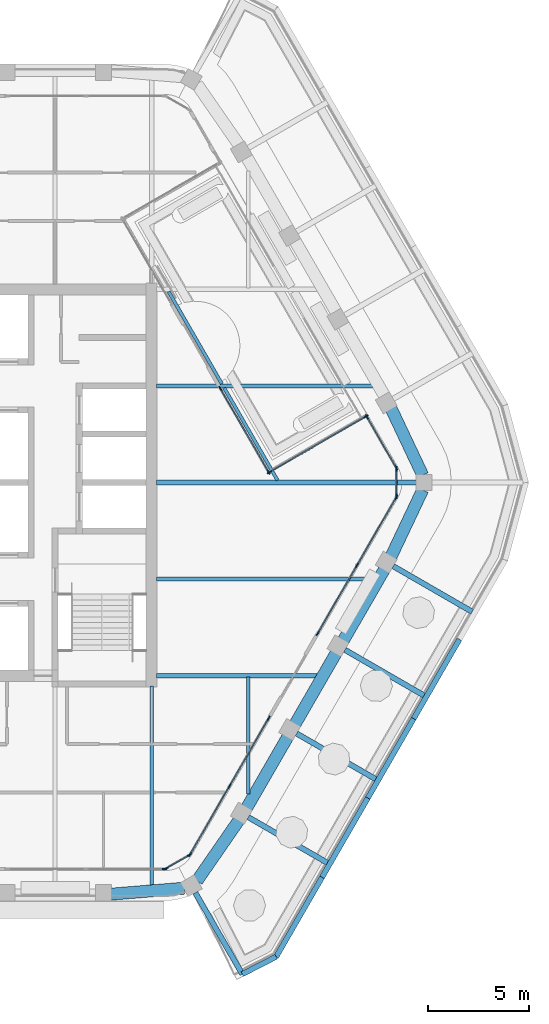
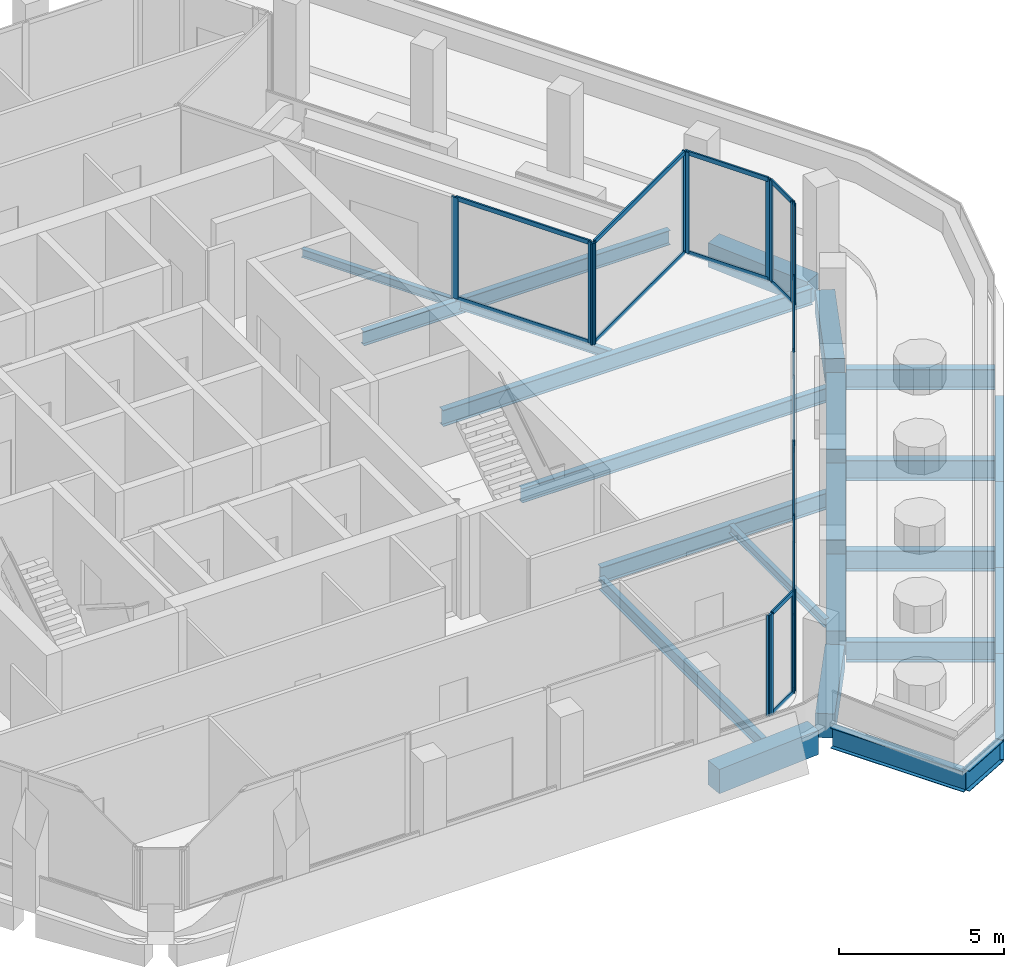
# One storey, part 4 of 17: 35 members, 25 beams, 8 elements without a shape of their own.
"""IFC4 building model written with IfcOpenShell, lengths in metres."""

from ifc_helpers import new_model, si_unit, direction, frame, origin, origin_2d, place, context, subcontext, project, spatial, rectangle, i_section, extrude, material, material_profile, profile_set, type_object, element, aggregate, save


model = new_model("IFC4")

# Units and contexts
model_context = context("Model", 3, precision=1e-05, world=origin(), true_north=direction((0.0, 1.0)))
body_context = subcontext(model_context, "Body", "Model", "MODEL_VIEW")
ifc_project = project(units=[si_unit("LENGTHUNIT", "METRE"), si_unit("AREAUNIT", "SQUARE_METRE"), si_unit("VOLUMEUNIT", "CUBIC_METRE"), si_unit("PLANEANGLEUNIT", "RADIAN"), si_unit("MASSUNIT", "GRAM", prefix="KILO")], contexts=[model_context])

# Site, building, storey
site_placement = place(None, origin())
site = spatial("IfcSite", under=ifc_project, at=site_placement, CompositionType="ELEMENT")
building_placement = place(site_placement, origin())
building = spatial("IfcBuilding", under=site, at=building_placement, Name="Kolab Exchange Tower", CompositionType="ELEMENT")
storey_placement = place(building_placement, frame((0.0, 0.0, 285.199951171875)))
storey = spatial("IfcBuildingStorey", under=building, at=storey_placement, Name="L64", CompositionType="ELEMENT", Elevation=285.199951171875)

# Beams
ifc_material_1 = material(Name="Steel S355", Category="steel")
ifc_material_profile_1 = material_profile(ifc_material_1, i_section(OverallWidth=0.1650390625, OverallDepth=0.31005859375, WebThickness=0.005859375, FlangeThickness=0.009765625, at=origin_2d()), Name="W310X39")
ifc_profile_set_1 = profile_set([ifc_material_profile_1], Name="Steel S355")
beam_type_1 = type_object("IfcBeamType", Name="FLOOR BEAM W310X39", PredefinedType="BEAM", material=ifc_profile_set_1)
for number, where, z_axis, x_axis, name in (
    (1, (10.439208984375, 9.486083984375, -0.304931640625), (0.499980785011, -0.866036497279, 0.0), (0.866036497279, 0.499980785011, 0.0), "beam/L64/fr/019"),
    (2, (13.205078125, 4.695556640625, -0.304931640625), (0.499980785011, -0.866036497279, 0.0), (0.866036497279, 0.499980785011, 0.0), "beam/L64/fr/020"),
):
    element("IfcBeam", number, at=place(storey_placement, frame(where, z_axis=z_axis, x_axis=x_axis)), inside=storey, type_object=beam_type_1, Name=name, PredefinedType="BEAM", context=body_context, shape_type="SweptSolid", body=[
        extrude(i_section(OverallWidth=0.1650390625, OverallDepth=0.31005859375, WebThickness=0.005859375, FlangeThickness=0.009765625, at=origin_2d()), origin(), (0.0, 0.0, 1.0), 5.290283203125),
    ])
beam_1_placement = place(storey_placement, frame((14.39990234375, -15.4677734375, -0.304931640625), z_axis=(0.0, 1.0, 0.0), x_axis=(-1.0, 0.0, 0.0)))
element("IfcBeam", 3, at=beam_1_placement, inside=storey, type_object=beam_type_1, Name="beam/L64/fr/021", PredefinedType="BEAM", context=body_context, shape_type="SweptSolid", body=[
    extrude(i_section(OverallWidth=0.1650390625, OverallDepth=0.31005859375, WebThickness=0.005859375, FlangeThickness=0.009765625, at=origin_2d()), origin(), (0.0, 0.0, 1.0), 5.793701171875),
])
ifc_material_profile_2 = material_profile(ifc_material_1, i_section(OverallWidth=0.18994140625, OverallDepth=0.45703125, WebThickness=0.009033203125, FlangeThickness=0.014404296875, at=origin_2d()), Name="W460X74")
ifc_profile_set_2 = profile_set([ifc_material_profile_2], Name="Steel S355")
beam_type_2 = type_object("IfcBeamType", Name="FLOOR BEAM W460X74", PredefinedType="BEAM", material=ifc_profile_set_2)
beam_2_placement = place(storey_placement, frame((9.60009765625, -20.027099609375, -0.37841796875), z_axis=(0.0, 1.0, 0.0), x_axis=(-1.0, 0.0, 0.0)))
element("IfcBeam", 4, at=beam_2_placement, inside=storey, type_object=beam_type_2, Name="beam/L64/fr/013", PredefinedType="BEAM", context=body_context, shape_type="SweptSolid", body=[
    extrude(i_section(OverallWidth=0.18994140625, OverallDepth=0.45703125, WebThickness=0.009033203125, FlangeThickness=0.014404296875, at=origin_2d()), origin(), (0.0, 0.0, 1.0), 9.9169921875),
])
ifc_material_profile_3 = material_profile(ifc_material_1, i_section(OverallWidth=0.208984375, OverallDepth=0.532958984375, WebThickness=0.01025390625, FlangeThickness=0.015625, at=origin_2d()), Name="W530X92")
ifc_profile_set_3 = profile_set([ifc_material_profile_3], Name="Steel S355")
beam_type_3 = type_object("IfcBeamType", Name="FLOOR BEAM W530X92", PredefinedType="BEAM", material=ifc_profile_set_3)
for number, where, z_axis, x_axis, name in (
    (5, (9.8349609375, -4.800048828125, -0.41650390625), (1.0, 0.0, 0.0), (0.0, 1.0, 0.0), "beam/L64/fr/016"),
    (6, (9.8349609375, 4.800048828125, -0.41650390625), (1.0, 0.0, 0.0), (0.0, 1.0, 0.0), "beam/L64/fr/018"),
):
    element("IfcBeam", number, at=place(storey_placement, frame(where, z_axis=z_axis, x_axis=x_axis)), inside=storey, type_object=beam_type_3, Name=name, PredefinedType="BEAM", context=body_context, shape_type="SweptSolid", body=[
        extrude(i_section(OverallWidth=0.208984375, OverallDepth=0.532958984375, WebThickness=0.01025390625, FlangeThickness=0.015625, at=origin_2d()), origin(), (0.0, 0.0, 1.0), 10.740966796875),
    ])
ifc_material_profile_4 = material_profile(ifc_material_1, i_section(OverallWidth=0.22802734375, OverallDepth=0.60791015625, WebThickness=0.01123046875, FlangeThickness=0.017333984375, at=origin_2d()), Name="W610X113")
ifc_profile_set_4 = profile_set([ifc_material_profile_4], Name="Steel S355")
beam_type_4 = type_object("IfcBeamType", Name="FLOOR BEAM W610X113", PredefinedType="BEAM", material=ifc_profile_set_4)
beam_3_placement = place(storey_placement, frame((9.8349609375, 0.0, -0.453857421875), z_axis=(1.0, 0.0, 0.0), x_axis=(0.0, 1.0, 0.0)))
element("IfcBeam", 7, at=beam_3_placement, inside=storey, type_object=beam_type_4, Name="beam/L64/fr/017", PredefinedType="BEAM", context=body_context, shape_type="SweptSolid", body=[
    extrude(i_section(OverallWidth=0.22802734375, OverallDepth=0.60791015625, WebThickness=0.01123046875, FlangeThickness=0.017333984375, at=origin_2d()), origin(), (0.0, 0.0, 1.0), 12.94091796875),
])
ifc_material_profile_5 = material_profile(ifc_material_1, i_section(OverallWidth=0.22802734375, OverallDepth=0.60791015625, WebThickness=0.01123046875, FlangeThickness=0.017333984375, at=origin_2d()), Name="W610X113")
ifc_profile_set_5 = profile_set([ifc_material_profile_5], Name="Steel S355")
beam_type_5 = type_object("IfcBeamType", Name="FLOOR GIRDER W610X113", PredefinedType="BEAM", material=ifc_profile_set_5)
beam_4_placement = place(storey_placement, frame((9.8349609375, -9.60009765625, -0.453857421875), z_axis=(1.0, 0.0, 0.0), x_axis=(0.0, 1.0, 0.0)))
element("IfcBeam", 8, at=beam_4_placement, inside=storey, type_object=beam_type_5, Name="beam/L64/gd/002", PredefinedType="BEAM", context=body_context, shape_type="SweptSolid", body=[
    extrude(i_section(OverallWidth=0.22802734375, OverallDepth=0.60791015625, WebThickness=0.01123046875, FlangeThickness=0.017333984375, at=origin_2d()), origin(), (0.0, 0.0, 1.0), 7.9697265625),
])
ifc_material_profile_6 = material_profile(ifc_material_1, i_section(OverallWidth=0.26708984375, OverallDepth=0.761962890625, WebThickness=0.014404296875, FlangeThickness=0.021484375, at=origin_2d()), Name="W760X173")
ifc_profile_set_6 = profile_set([ifc_material_profile_6], Name="Steel S355")
beam_type_6 = type_object("IfcBeamType", Name="FLOOR GIRDER W760X173", PredefinedType="BEAM", material=ifc_profile_set_6)
beam_5_placement = place(storey_placement, frame((21.60009765625, -4.156982421875, -0.591064453125), z_axis=(0.866030417568, -0.499991315771, 0.0), x_axis=(0.499991315771, 0.866030417568, 0.0)))
element("IfcBeam", 9, at=beam_5_placement, inside=storey, type_object=beam_type_6, Name="beam/L64/ledge/rib-06", PredefinedType="BEAM", context=body_context, shape_type="SweptSolid", body=[
    extrude(i_section(OverallWidth=0.26708984375, OverallDepth=0.761962890625, WebThickness=0.014404296875, FlangeThickness=0.021484375, at=origin_2d()), origin(), (0.0, 0.0, 1.0), 4.53271484375),
])
beam_6_placement = place(storey_placement, frame((19.199951171875, -8.313720703125, -0.591064453125), z_axis=(0.866020560687, -0.500008388397, 0.0), x_axis=(0.500008388397, 0.866020560687, 0.0)))
element("IfcBeam", 10, at=beam_6_placement, inside=storey, type_object=beam_type_6, Name="beam/L64/ledge/rib-07", PredefinedType="BEAM", context=body_context, shape_type="SweptSolid", body=[
    extrude(i_section(OverallWidth=0.26708984375, OverallDepth=0.761962890625, WebThickness=0.014404296875, FlangeThickness=0.021484375, at=origin_2d()), origin(), (0.0, 0.0, 1.0), 4.533203125),
])
beam_7_placement = place(storey_placement, frame((16.800048828125, -12.470703125, -0.591064453125), z_axis=(0.866007095043, -0.500031710329, 0.0), x_axis=(0.500031710329, 0.866007095043, 0.0)))
element("IfcBeam", 11, at=beam_7_placement, inside=storey, type_object=beam_type_6, Name="beam/L64/ledge/rib-08", PredefinedType="BEAM", context=body_context, shape_type="SweptSolid", body=[
    extrude(i_section(OverallWidth=0.26708984375, OverallDepth=0.761962890625, WebThickness=0.014404296875, FlangeThickness=0.021484375, at=origin_2d()), origin(), (0.0, 0.0, 1.0), 4.532958984375),
])
beam_8_placement = place(storey_placement, frame((14.39990234375, -16.627685546875, -0.591064453125), z_axis=(0.866020560687, -0.500008388397, 0.0), x_axis=(0.500008388397, 0.866020560687, 0.0)))
element("IfcBeam", 12, at=beam_8_placement, inside=storey, type_object=beam_type_6, Name="beam/L64/ledge/rib-09", PredefinedType="BEAM", context=body_context, shape_type="SweptSolid", body=[
    extrude(i_section(OverallWidth=0.26708984375, OverallDepth=0.761962890625, WebThickness=0.014404296875, FlangeThickness=0.021484375, at=origin_2d()), origin(), (0.0, 0.0, 1.0), 4.533203125),
])
beam_9_placement = place(storey_placement, frame((11.767822265625, -20.3828125, -0.591064453125), z_axis=(0.500043984474, -0.866000007847, 0.0), x_axis=(0.866000007847, 0.500043984474, 0.0)))
element("IfcBeam", 13, at=beam_9_placement, inside=storey, type_object=beam_type_6, Name="beam/L64/ledge/rib-10", PredefinedType="BEAM", context=body_context, shape_type="SweptSolid", body=[
    extrude(i_section(OverallWidth=0.26708984375, OverallDepth=0.761962890625, WebThickness=0.014404296875, FlangeThickness=0.021484375, at=origin_2d()), origin(), (0.0, 0.0, 1.0), 4.66650390625),
])
for number, where, z_axis, x_axis, name in (
    (14, (24.890380859375, -7.791015625, -0.591064453125), (-0.500038123928, -0.866003391805, 0.0), (0.866003391805, -0.500038123928, 0.0), "beam/L64/ledge/edge-09"),
    (15, (22.614013671875, -11.7333984375, -0.591064453125), (-0.499974680739, -0.866040021373, 0.0), (0.866040021373, -0.499974680739, 0.0), "beam/L64/ledge/edge-10"),
):
    element("IfcBeam", number, at=place(storey_placement, frame(where, z_axis=z_axis, x_axis=x_axis)), inside=storey, type_object=beam_type_6, Name=name, PredefinedType="BEAM", context=body_context, shape_type="SweptSolid", body=[
        extrude(i_section(OverallWidth=0.26708984375, OverallDepth=0.761962890625, WebThickness=0.014404296875, FlangeThickness=0.021484375, at=origin_2d()), origin(), (0.0, 0.0, 1.0), 4.552490234375),
    ])
beam_10_placement = place(storey_placement, frame((20.337890625, -15.676025390625, -0.591064453125), z_axis=(-0.499997902498, -0.866026614774, 0.0), x_axis=(0.866026614774, -0.499997902498, 0.0)))
element("IfcBeam", 16, at=beam_10_placement, inside=storey, type_object=beam_type_6, Name="beam/L64/ledge/edge-11", PredefinedType="BEAM", context=body_context, shape_type="SweptSolid", body=[
    extrude(i_section(OverallWidth=0.26708984375, OverallDepth=0.761962890625, WebThickness=0.014404296875, FlangeThickness=0.021484375, at=origin_2d()), origin(), (0.0, 0.0, 1.0), 4.55224609375),
])
beam_11_placement = place(storey_placement, frame((18.061767578125, -19.618408203125, -0.591064453125), z_axis=(-0.500014901547, -0.866016800201, 0.0), x_axis=(0.866016800201, -0.500014901547, 0.0)))
element("IfcBeam", 17, at=beam_11_placement, inside=storey, type_object=beam_type_6, Name="beam/L64/ledge/edge-12", PredefinedType="BEAM", context=body_context, shape_type="SweptSolid", body=[
    extrude(i_section(OverallWidth=0.26708984375, OverallDepth=0.761962890625, WebThickness=0.014404296875, FlangeThickness=0.021484375, at=origin_2d()), origin(), (0.0, 0.0, 1.0), 4.552490234375),
])
beam_12_placement = place(storey_placement, frame((15.785400390625, -23.56103515625, -0.591064453125), z_axis=(-0.889892665835, -0.456169971933, 0.0), x_axis=(0.456169971933, -0.889892665835, 0.0)))
element("IfcBeam", 18, at=beam_12_placement, inside=storey, type_object=beam_type_6, Name="beam/L64/ledge/edge-13", PredefinedType="BEAM", context=body_context, shape_type="SweptSolid", body=[
    extrude(i_section(OverallWidth=0.26708984375, OverallDepth=0.761962890625, WebThickness=0.014404296875, FlangeThickness=0.021484375, at=origin_2d()), origin(), (0.0, 0.0, 1.0), 1.892333984375),
])
ifc_material_2 = material(Name="Concrete C50/60", Category="concrete")
ifc_material_profile_7 = material_profile(ifc_material_2, rectangle(XDim=0.60009765625, YDim=0.89990234375, at=origin_2d()), Name="RC600X900")
ifc_profile_set_7 = profile_set([ifc_material_profile_7], Name="Concrete C50/60")
beam_type_7 = type_object("IfcBeamType", Name="SPANDREL BEAM 600X900 C50/60", PredefinedType="BEAM", material=ifc_profile_set_7)
for number, where, z_axis, x_axis, name in (
    (19, (21.49462890625, 3.68017578125, -0.599853515625), (0.427677251998, -0.903931506323, 0.0), (0.903931506323, 0.427677251998, 0.0), "beam/L64/sp/F2-05"),
    (20, (23.063720703125, -0.36376953125, -0.599853515625), (-0.427677251998, -0.903931506323, 0.0), (0.903931506323, -0.427677251998, 0.0), "beam/L64/sp/F3-01"),
):
    element("IfcBeam", number, at=place(storey_placement, frame(where, z_axis=z_axis, x_axis=x_axis)), inside=storey, type_object=beam_type_7, Name=name, PredefinedType="BEAM", context=body_context, shape_type="SweptSolid", body=[
        extrude(rectangle(XDim=0.60009765625, YDim=0.89990234375, at=origin_2d()), origin(), (0.0, 0.0, 1.0), 3.6689453125),
    ])
for number, where, z_axis, x_axis, name in (
    (21, (21.16015625, -4.318603515625, -0.599853515625), (-0.500000428765, -0.866025156237, 0.0), (0.866025156237, -0.500000428765, 0.0), "beam/L64/sp/F3-02"),
    (22, (18.76025390625, -8.4755859375, -0.599853515625), (-0.500000428765, -0.866025156237, 0.0), (0.866025156237, -0.500000428765, 0.0), "beam/L64/sp/F3-03"),
):
    element("IfcBeam", number, at=place(storey_placement, frame(where, z_axis=z_axis, x_axis=x_axis)), inside=storey, type_object=beam_type_7, Name=name, PredefinedType="BEAM", context=body_context, shape_type="SweptSolid", body=[
        extrude(rectangle(XDim=0.60009765625, YDim=0.89990234375, at=origin_2d()), origin(), (0.0, 0.0, 1.0), 4.080078125),
    ])
beam_13_placement = place(storey_placement, frame((16.360107421875, -12.632568359375, -0.599853515625), z_axis=(-0.499955548806, -0.866051066172, 0.0), x_axis=(0.866051066172, -0.499955548806, 0.0)))
element("IfcBeam", 23, at=beam_13_placement, inside=storey, type_object=beam_type_7, Name="beam/L64/sp/F3-04", PredefinedType="BEAM", context=body_context, shape_type="SweptSolid", body=[
    extrude(rectangle(XDim=0.60009765625, YDim=0.89990234375, at=origin_2d()), origin(), (0.0, 0.0, 1.0), 4.079833984375),
])
for number, where, z_axis, x_axis, name in (
    (24, (13.9345703125, -16.77490234375, -0.599853515625), (-0.569005808573, -0.822333502789, 0.0), (0.822333502789, -0.569005808573, 0.0), "beam/L64/sp/F3-05"),
    (25, (11.216796875, -20.15576171875, -0.599853515625), (-0.996666751878, -0.081580547323, 0.0), (0.081580547323, -0.996666751878, 0.0), "beam/L64/sp/F4-01"),
):
    element("IfcBeam", number, at=place(storey_placement, frame(where, z_axis=z_axis, x_axis=x_axis)), inside=storey, type_object=beam_type_7, Name=name, PredefinedType="BEAM", context=body_context, shape_type="SweptSolid", body=[
        extrude(rectangle(XDim=0.60009765625, YDim=0.89990234375, at=origin_2d()), origin(), (0.0, 0.0, 1.0), 3.6689453125),
    ])

# Curtain wall, members
ifc_material_3 = material(Name="Aluminium EN AW-6063 T6", Category="aluminium")
curtain_wall_type = type_object("IfcCurtainWallType", Name="UNITISED HIGH ZONE CURTAIN WALL", PredefinedType="NOTDEFINED", material=ifc_material_3)
curtain_wall_1_placement = place(storey_placement, origin())
curtain_wall_1 = element("IfcCurtainWall", 26, at=curtain_wall_1_placement, inside=storey, type_object=curtain_wall_type, Name="cw/L64/F2-back-2", PredefinedType="NOTDEFINED")
ifc_material_profile_8 = material_profile(ifc_material_3, rectangle(XDim=0.06005859375, YDim=0.239990234375, at=origin_2d()), Name="RECT 60X240")
ifc_profile_set_8 = profile_set([ifc_material_profile_8], Name="Aluminium EN AW-6063 T6")
member_type_1 = type_object("IfcMemberType", Name="UNITISED HIGH ZONE MULLION 60 X 240", PredefinedType="MULLION", material=ifc_profile_set_8)
member_1_placement = place(storey_placement, frame((13.01025390625, 4.6748046875, 0.0), z_axis=(0.0, 0.0, 1.0), x_axis=(0.866025376121, 0.500000047915, 0.0)))
member_1 = element("IfcMember", 27, at=member_1_placement, type_object=member_type_1, Name="CW4 mullion 1", PredefinedType="MULLION", context=body_context, shape_type="SweptSolid", body=[
    extrude(rectangle(XDim=0.06005859375, YDim=0.239990234375, at=origin_2d()), origin(), (0.0, 0.0, 1.0), 3.75),
])
member_2_placement = place(storey_placement, frame((15.406982421875, 0.523681640625, 0.0), z_axis=(0.0, 0.0, 1.0), x_axis=(0.866025376121, 0.500000047915, 0.0)))
member_2 = element("IfcMember", 28, at=member_2_placement, type_object=member_type_1, Name="CW4 mullion 2", PredefinedType="MULLION", context=body_context, shape_type="SweptSolid", body=[
    extrude(rectangle(XDim=0.06005859375, YDim=0.239990234375, at=origin_2d()), origin(), (0.0, 0.0, 1.0), 3.75),
])

curtain_wall_2_placement = place(storey_placement, origin())
curtain_wall_2 = element("IfcCurtainWall", 29, at=curtain_wall_2_placement, inside=storey, type_object=curtain_wall_type, Name="cw/L64/F2-rr-1", PredefinedType="NOTDEFINED")
member_3_placement = place(storey_placement, frame((15.447998046875, 0.5126953125, 0.0), z_axis=(0.0, 0.0, 1.0), x_axis=(-0.500000020194, 0.866025392126, 0.0)))
member_3 = element("IfcMember", 30, at=member_3_placement, type_object=member_type_1, Name="CW4 mullion 1", PredefinedType="MULLION", context=body_context, shape_type="SweptSolid", body=[
    extrude(rectangle(XDim=0.06005859375, YDim=0.239990234375, at=origin_2d()), origin(), (0.0, 0.0, 1.0), 3.75),
])
member_4_placement = place(storey_placement, frame((20.24560546875, 3.28271484375, 0.0), z_axis=(0.0, 0.0, 1.0), x_axis=(-0.500000020194, 0.866025392126, 0.0)))
member_4 = element("IfcMember", 31, at=member_4_placement, type_object=member_type_1, Name="CW4 mullion 2", PredefinedType="MULLION", context=body_context, shape_type="SweptSolid", body=[
    extrude(rectangle(XDim=0.06005859375, YDim=0.239990234375, at=origin_2d()), origin(), (0.0, 0.0, 1.0), 3.75),
])

curtain_wall_3_placement = place(storey_placement, origin())
curtain_wall_3 = element("IfcCurtainWall", 32, at=curtain_wall_3_placement, inside=storey, type_object=curtain_wall_type, Name="cw/L64/F2-r-1", PredefinedType="NOTDEFINED")
member_5_placement = place(storey_placement, frame((20.28662109375, 3.271728515625, 0.0), z_axis=(0.0, 0.0, 1.0), x_axis=(0.866025498067, 0.499999836698, 0.0)))
member_5 = element("IfcMember", 33, at=member_5_placement, type_object=member_type_1, Name="CW4 mullion 1", PredefinedType="MULLION", context=body_context, shape_type="SweptSolid", body=[
    extrude(rectangle(XDim=0.06005859375, YDim=0.239990234375, at=origin_2d()), origin(), (0.0, 0.0, 1.0), 3.75),
])
member_6_placement = place(storey_placement, frame((21.750732421875, 0.736083984375, 0.0), z_axis=(0.0, 0.0, 1.0), x_axis=(0.866025498067, 0.499999836698, 0.0)))
member_6 = element("IfcMember", 34, at=member_6_placement, type_object=member_type_1, Name="CW4 mullion 2", PredefinedType="MULLION", context=body_context, shape_type="SweptSolid", body=[
    extrude(rectangle(XDim=0.06005859375, YDim=0.239990234375, at=origin_2d()), origin(), (0.0, 0.0, 1.0), 3.75),
])

curtain_wall_4_placement = place(storey_placement, origin())
curtain_wall_4 = element("IfcCurtainWall", 35, at=curtain_wall_4_placement, inside=storey, type_object=curtain_wall_type, Name="cw/L64/F3-1", PredefinedType="NOTDEFINED")
member_7_placement = place(storey_placement, frame((21.750732421875, -0.736083984375, 0.0), z_axis=(0.0, 0.0, 1.0), x_axis=(0.866025440524, -0.499999936366, 0.0)))
member_7 = element("IfcMember", 36, at=member_7_placement, type_object=member_type_1, Name="CW4 mullion 1", PredefinedType="MULLION", context=body_context, shape_type="SweptSolid", body=[
    extrude(rectangle(XDim=0.06005859375, YDim=0.239990234375, at=origin_2d()), origin(), (0.0, 0.0, 1.0), 3.75),
])
member_8_placement = place(storey_placement, frame((19.798583984375, -4.116943359375, 0.0), z_axis=(0.0, 0.0, 1.0), x_axis=(0.866025440524, -0.499999936366, 0.0)))
member_8 = element("IfcMember", 37, at=member_8_placement, type_object=member_type_1, Name="CW4 mullion 2", PredefinedType="MULLION", context=body_context, shape_type="SweptSolid", body=[
    extrude(rectangle(XDim=0.06005859375, YDim=0.239990234375, at=origin_2d()), origin(), (0.0, 0.0, 1.0), 3.75),
])
member_9_placement = place(storey_placement, frame((17.8466796875, -7.497802734375, 0.0), z_axis=(0.0, 0.0, 1.0), x_axis=(0.866025440524, -0.499999936366, 0.0)))
member_9 = element("IfcMember", 38, at=member_9_placement, type_object=member_type_1, Name="CW4 mullion 3", PredefinedType="MULLION", context=body_context, shape_type="SweptSolid", body=[
    extrude(rectangle(XDim=0.06005859375, YDim=0.239990234375, at=origin_2d()), origin(), (0.0, 0.0, 1.0), 3.75),
])

curtain_wall_5_placement = place(storey_placement, origin())
curtain_wall_5 = element("IfcCurtainWall", 39, at=curtain_wall_5_placement, inside=storey, type_object=curtain_wall_type, Name="cw/L64/F3-2", PredefinedType="NOTDEFINED")
member_10_placement = place(storey_placement, frame((15.416748046875, -11.706787109375, 0.0), z_axis=(0.0, 0.0, 1.0), x_axis=(0.866025385493, -0.500000031681, 0.0)))
member_10 = element("IfcMember", 40, at=member_10_placement, type_object=member_type_1, Name="CW4 mullion 1", PredefinedType="MULLION", context=body_context, shape_type="SweptSolid", body=[
    extrude(rectangle(XDim=0.06005859375, YDim=0.239990234375, at=origin_2d()), origin(), (0.0, 0.0, 1.0), 3.75),
])
member_11_placement = place(storey_placement, frame((13.464599609375, -15.087646484375, 0.0), z_axis=(0.0, 0.0, 1.0), x_axis=(0.866025385493, -0.500000031681, 0.0)))
member_11 = element("IfcMember", 41, at=member_11_placement, type_object=member_type_1, Name="CW4 mullion 2", PredefinedType="MULLION", context=body_context, shape_type="SweptSolid", body=[
    extrude(rectangle(XDim=0.06005859375, YDim=0.239990234375, at=origin_2d()), origin(), (0.0, 0.0, 1.0), 3.75),
])
member_12_placement = place(storey_placement, frame((11.5126953125, -18.46875, 0.0), z_axis=(0.0, 0.0, 1.0), x_axis=(0.866025385493, -0.500000031681, 0.0)))
member_12 = element("IfcMember", 42, at=member_12_placement, type_object=member_type_1, Name="CW4 mullion 3", PredefinedType="MULLION", context=body_context, shape_type="SweptSolid", body=[
    extrude(rectangle(XDim=0.06005859375, YDim=0.239990234375, at=origin_2d()), origin(), (0.0, 0.0, 1.0), 3.75),
])

# Curtain wall, member
curtain_wall_6_placement = place(storey_placement, origin())
curtain_wall_6 = element("IfcCurtainWall", 43, at=curtain_wall_6_placement, inside=storey, type_object=curtain_wall_type, Name="cw/L64/F4-1", PredefinedType="NOTDEFINED")
member_13_placement = place(storey_placement, frame((10.238037109375, -19.20458984375, 0.0), z_axis=(0.0, 0.0, 1.0), x_axis=(0.0, -1.0, 0.0)))
member_13 = element("IfcMember", 44, at=member_13_placement, type_object=member_type_1, Name="CW4 mullion 1", PredefinedType="MULLION", context=body_context, shape_type="SweptSolid", body=[
    extrude(rectangle(XDim=0.06005859375, YDim=0.239990234375, at=origin_2d()), origin(), (0.0, 0.0, 1.0), 3.75),
])
aggregate(curtain_wall_6, [member_13])

# Curtain wall, members
curtain_wall_7_placement = place(storey_placement, origin())
curtain_wall_7 = element("IfcCurtainWall", 45, at=curtain_wall_7_placement, inside=storey, type_object=curtain_wall_type, Name="cw/L64/F2F3-corner", PredefinedType="NOTDEFINED")
member_14_placement = place(storey_placement, frame((21.765625, 0.679931640625, 0.0), z_axis=(0.0, 0.0, 1.0), x_axis=(1.0, 0.0, 0.0)))
member_14 = element("IfcMember", 46, at=member_14_placement, type_object=member_type_1, Name="CW4 mullion 1", PredefinedType="MULLION", context=body_context, shape_type="SweptSolid", body=[
    extrude(rectangle(XDim=0.06005859375, YDim=0.239990234375, at=origin_2d()), origin(), (0.0, 0.0, 1.0), 3.75),
])
member_15_placement = place(storey_placement, frame((21.765625, -0.679931640625, 0.0), z_axis=(0.0, 0.0, 1.0), x_axis=(1.0, 0.0, 0.0)))
member_15 = element("IfcMember", 47, at=member_15_placement, type_object=member_type_1, Name="CW4 mullion 2", PredefinedType="MULLION", context=body_context, shape_type="SweptSolid", body=[
    extrude(rectangle(XDim=0.06005859375, YDim=0.239990234375, at=origin_2d()), origin(), (0.0, 0.0, 1.0), 3.75),
])

curtain_wall_8_placement = place(storey_placement, origin())
curtain_wall_8 = element("IfcCurtainWall", 48, at=curtain_wall_8_placement, inside=storey, type_object=curtain_wall_type, Name="cw/L64/F3F4-corner", PredefinedType="NOTDEFINED")
member_16_placement = place(storey_placement, frame((11.4716796875, -18.509521484375, 0.0), z_axis=(0.0, 0.0, 1.0), x_axis=(0.50000002237, -0.866025390869, 0.0)))
member_16 = element("IfcMember", 49, at=member_16_placement, type_object=member_type_1, Name="CW4 mullion 1", PredefinedType="MULLION", context=body_context, shape_type="SweptSolid", body=[
    extrude(rectangle(XDim=0.06005859375, YDim=0.239990234375, at=origin_2d()), origin(), (0.0, 0.0, 1.0), 3.75),
])
member_17_placement = place(storey_placement, frame((10.2939453125, -19.189697265625, 0.0), z_axis=(0.0, 0.0, 1.0), x_axis=(0.50000002237, -0.866025390869, 0.0)))
member_17 = element("IfcMember", 50, at=member_17_placement, type_object=member_type_1, Name="CW4 mullion 2", PredefinedType="MULLION", context=body_context, shape_type="SweptSolid", body=[
    extrude(rectangle(XDim=0.06005859375, YDim=0.239990234375, at=origin_2d()), origin(), (0.0, 0.0, 1.0), 3.75),
])

# Member
ifc_material_profile_9 = material_profile(ifc_material_3, rectangle(XDim=0.06005859375, YDim=0.159912109375, at=origin_2d()), Name="RECT 60X160")
ifc_profile_set_9 = profile_set([ifc_material_profile_9], Name="Aluminium EN AW-6063 T6")
member_type_2 = type_object("IfcMemberType", Name="UNITISED HIGH ZONE TRANSOM 60 X 160", PredefinedType="USERDEFINED", material=ifc_profile_set_9)
member_18_placement = place(storey_placement, frame((13.025390625, 4.648681640625, 0.030029296875), z_axis=(0.499972493535, -0.866041284067, 0.0), x_axis=(0.866041284067, 0.499972493535, 0.0)))
member_18 = element("IfcMember", 51, at=member_18_placement, type_object=member_type_2, Name="CW4 transom 1.1", ObjectType="TRANSOM", PredefinedType="USERDEFINED", context=body_context, shape_type="SweptSolid", body=[
    extrude(rectangle(XDim=0.06005859375, YDim=0.159912109375, at=origin_2d()), origin(), (0.0, 0.0, 1.0), 4.733154296875),
])

member_19_placement = place(storey_placement, frame((13.025390625, 4.648681640625, 3.719970703125), z_axis=(0.499972493535, -0.866041284067, 0.0), x_axis=(0.866041284067, 0.499972493535, 0.0)))
member_19 = element("IfcMember", 52, at=member_19_placement, type_object=member_type_2, Name="CW4 transom 1.2", ObjectType="TRANSOM", PredefinedType="USERDEFINED", context=body_context, shape_type="SweptSolid", body=[
    extrude(rectangle(XDim=0.06005859375, YDim=0.159912109375, at=origin_2d()), origin(), (0.0, 0.0, 1.0), 4.733154296875),
])

aggregate(curtain_wall_1, [member_1, member_2, member_18, member_19])

member_20_placement = place(storey_placement, frame((15.473876953125, 0.527587890625, 0.030029296875), z_axis=(0.866027562125, 0.499996261625, 0.0), x_axis=(-0.499996261625, 0.866027562125, 0.0)))
member_20 = element("IfcMember", 53, at=member_20_placement, type_object=member_type_2, Name="CW4 transom 1.1", ObjectType="TRANSOM", PredefinedType="USERDEFINED", context=body_context, shape_type="SweptSolid", body=[
    extrude(rectangle(XDim=0.06005859375, YDim=0.159912109375, at=origin_2d()), origin(), (0.0, 0.0, 1.0), 5.47998046875),
])

member_21_placement = place(storey_placement, frame((15.473876953125, 0.527587890625, 3.719970703125), z_axis=(0.866027562125, 0.499996261625, 0.0), x_axis=(-0.499996261625, 0.866027562125, 0.0)))
member_21 = element("IfcMember", 54, at=member_21_placement, type_object=member_type_2, Name="CW4 transom 1.2", ObjectType="TRANSOM", PredefinedType="USERDEFINED", context=body_context, shape_type="SweptSolid", body=[
    extrude(rectangle(XDim=0.06005859375, YDim=0.159912109375, at=origin_2d()), origin(), (0.0, 0.0, 1.0), 5.47998046875),
])

aggregate(curtain_wall_2, [member_3, member_4, member_20, member_21])

member_22_placement = place(storey_placement, frame((20.3017578125, 3.24560546875, 0.030029296875), z_axis=(0.499975463599, -0.866039569419, 0.0), x_axis=(0.866039569419, 0.499975463599, 0.0)))
member_22 = element("IfcMember", 55, at=member_22_placement, type_object=member_type_2, Name="CW4 transom 1.1", ObjectType="TRANSOM", PredefinedType="USERDEFINED", context=body_context, shape_type="SweptSolid", body=[
    extrude(rectangle(XDim=0.06005859375, YDim=0.159912109375, at=origin_2d()), origin(), (0.0, 0.0, 1.0), 2.867919921875),
])

member_23_placement = place(storey_placement, frame((20.3017578125, 3.24560546875, 3.719970703125), z_axis=(0.499975463599, -0.866039569419, 0.0), x_axis=(0.866039569419, 0.499975463599, 0.0)))
member_23 = element("IfcMember", 56, at=member_23_placement, type_object=member_type_2, Name="CW4 transom 1.2", ObjectType="TRANSOM", PredefinedType="USERDEFINED", context=body_context, shape_type="SweptSolid", body=[
    extrude(rectangle(XDim=0.06005859375, YDim=0.159912109375, at=origin_2d()), origin(), (0.0, 0.0, 1.0), 2.867919921875),
])

aggregate(curtain_wall_3, [member_5, member_6, member_22, member_23])

member_24_placement = place(storey_placement, frame((21.735595703125, -0.761962890625, 0.030029296875), z_axis=(-0.499991857942, -0.866030104553, 0.0), x_axis=(0.866030104553, -0.499991857942, 0.0)))
member_24 = element("IfcMember", 57, at=member_24_placement, type_object=member_type_2, Name="CW4 transom 1.1", ObjectType="TRANSOM", PredefinedType="USERDEFINED", context=body_context, shape_type="SweptSolid", body=[
    extrude(rectangle(XDim=0.06005859375, YDim=0.159912109375, at=origin_2d()), origin(), (0.0, 0.0, 1.0), 3.84375),
])

member_25_placement = place(storey_placement, frame((21.735595703125, -0.761962890625, 3.719970703125), z_axis=(-0.499991857942, -0.866030104553, 0.0), x_axis=(0.866030104553, -0.499991857942, 0.0)))
member_25 = element("IfcMember", 58, at=member_25_placement, type_object=member_type_2, Name="CW4 transom 1.2", ObjectType="TRANSOM", PredefinedType="USERDEFINED", context=body_context, shape_type="SweptSolid", body=[
    extrude(rectangle(XDim=0.06005859375, YDim=0.159912109375, at=origin_2d()), origin(), (0.0, 0.0, 1.0), 3.84375),
])

member_26_placement = place(storey_placement, frame((19.78369140625, -4.142822265625, 0.030029296875), z_axis=(-0.500011990396, -0.866018481016, 0.0), x_axis=(0.866018481016, -0.500011990396, 0.0)))
member_26 = element("IfcMember", 59, at=member_26_placement, type_object=member_type_2, Name="CW4 transom 2.1", ObjectType="TRANSOM", PredefinedType="USERDEFINED", context=body_context, shape_type="SweptSolid", body=[
    extrude(rectangle(XDim=0.06005859375, YDim=0.159912109375, at=origin_2d()), origin(), (0.0, 0.0, 1.0), 3.84423828125),
])

member_27_placement = place(storey_placement, frame((19.78369140625, -4.142822265625, 3.719970703125), z_axis=(-0.500011990396, -0.866018481016, 0.0), x_axis=(0.866018481016, -0.500011990396, 0.0)))
member_27 = element("IfcMember", 60, at=member_27_placement, type_object=member_type_2, Name="CW4 transom 2.2", ObjectType="TRANSOM", PredefinedType="USERDEFINED", context=body_context, shape_type="SweptSolid", body=[
    extrude(rectangle(XDim=0.06005859375, YDim=0.159912109375, at=origin_2d()), origin(), (0.0, 0.0, 1.0), 3.84423828125),
])

aggregate(curtain_wall_4, [member_7, member_8, member_9, member_24, member_25, member_26, member_27])

member_28_placement = place(storey_placement, frame((15.401611328125, -11.732666015625, 0.030029296875), z_axis=(-0.499964356602, -0.866045981532, 0.0), x_axis=(0.866045981532, -0.499964356602, 0.0)))
member_28 = element("IfcMember", 61, at=member_28_placement, type_object=member_type_2, Name="CW4 transom 1.1", ObjectType="TRANSOM", PredefinedType="USERDEFINED", context=body_context, shape_type="SweptSolid", body=[
    extrude(rectangle(XDim=0.06005859375, YDim=0.159912109375, at=origin_2d()), origin(), (0.0, 0.0, 1.0), 3.843994140625),
])

member_29_placement = place(storey_placement, frame((15.401611328125, -11.732666015625, 3.719970703125), z_axis=(-0.499964356602, -0.866045981532, 0.0), x_axis=(0.866045981532, -0.499964356602, 0.0)))
member_29 = element("IfcMember", 62, at=member_29_placement, type_object=member_type_2, Name="CW4 transom 1.2", ObjectType="TRANSOM", PredefinedType="USERDEFINED", context=body_context, shape_type="SweptSolid", body=[
    extrude(rectangle(XDim=0.06005859375, YDim=0.159912109375, at=origin_2d()), origin(), (0.0, 0.0, 1.0), 3.843994140625),
])

member_30_placement = place(storey_placement, frame((13.44970703125, -15.11376953125, 0.030029296875), z_axis=(-0.500039492609, -0.866002601515, 0.0), x_axis=(0.866002601515, -0.500039492609, 0.0)))
member_30 = element("IfcMember", 63, at=member_30_placement, type_object=member_type_2, Name="CW4 transom 2.1", ObjectType="TRANSOM", PredefinedType="USERDEFINED", context=body_context, shape_type="SweptSolid", body=[
    extrude(rectangle(XDim=0.06005859375, YDim=0.159912109375, at=origin_2d()), origin(), (0.0, 0.0, 1.0), 3.843994140625),
])

member_31_placement = place(storey_placement, frame((13.44970703125, -15.11376953125, 3.719970703125), z_axis=(-0.500039492609, -0.866002601515, 0.0), x_axis=(0.866002601515, -0.500039492609, 0.0)))
member_31 = element("IfcMember", 64, at=member_31_placement, type_object=member_type_2, Name="CW4 transom 2.2", ObjectType="TRANSOM", PredefinedType="USERDEFINED", context=body_context, shape_type="SweptSolid", body=[
    extrude(rectangle(XDim=0.06005859375, YDim=0.159912109375, at=origin_2d()), origin(), (0.0, 0.0, 1.0), 3.843994140625),
])

aggregate(curtain_wall_5, [member_10, member_11, member_12, member_28, member_29, member_30, member_31])

member_32_placement = place(storey_placement, frame((21.765625, 0.64990234375, 0.030029296875), z_axis=(0.0, -1.0, 0.0), x_axis=(1.0, 0.0, 0.0)))
member_32 = element("IfcMember", 65, at=member_32_placement, type_object=member_type_2, Name="CW4 transom 1.1", ObjectType="TRANSOM", PredefinedType="USERDEFINED", context=body_context, shape_type="SweptSolid", body=[
    extrude(rectangle(XDim=0.06005859375, YDim=0.159912109375, at=origin_2d()), origin(), (0.0, 0.0, 1.0), 1.2998046875),
])

member_33_placement = place(storey_placement, frame((21.765625, 0.64990234375, 3.719970703125), z_axis=(0.0, -1.0, 0.0), x_axis=(1.0, 0.0, 0.0)))
member_33 = element("IfcMember", 66, at=member_33_placement, type_object=member_type_2, Name="CW4 transom 1.2", ObjectType="TRANSOM", PredefinedType="USERDEFINED", context=body_context, shape_type="SweptSolid", body=[
    extrude(rectangle(XDim=0.06005859375, YDim=0.159912109375, at=origin_2d()), origin(), (0.0, 0.0, 1.0), 1.2998046875),
])

aggregate(curtain_wall_7, [member_14, member_15, member_32, member_33])

member_34_placement = place(storey_placement, frame((11.44580078125, -18.524658203125, 0.030029296875), z_axis=(-0.866085525409, -0.49989585183, 0.0), x_axis=(0.49989585183, -0.866085525409, 0.0)))
member_34 = element("IfcMember", 67, at=member_34_placement, type_object=member_type_2, Name="CW4 transom 1.1", ObjectType="TRANSOM", PredefinedType="USERDEFINED", context=body_context, shape_type="SweptSolid", body=[
    extrude(rectangle(XDim=0.06005859375, YDim=0.159912109375, at=origin_2d()), origin(), (0.0, 0.0, 1.0), 1.300048828125),
])

member_35_placement = place(storey_placement, frame((11.44580078125, -18.524658203125, 3.719970703125), z_axis=(-0.866085525409, -0.49989585183, 0.0), x_axis=(0.49989585183, -0.866085525409, 0.0)))
member_35 = element("IfcMember", 68, at=member_35_placement, type_object=member_type_2, Name="CW4 transom 1.2", ObjectType="TRANSOM", PredefinedType="USERDEFINED", context=body_context, shape_type="SweptSolid", body=[
    extrude(rectangle(XDim=0.06005859375, YDim=0.159912109375, at=origin_2d()), origin(), (0.0, 0.0, 1.0), 1.300048828125),
])

aggregate(curtain_wall_8, [member_16, member_17, member_34, member_35])

save(model, "model.ifc")
